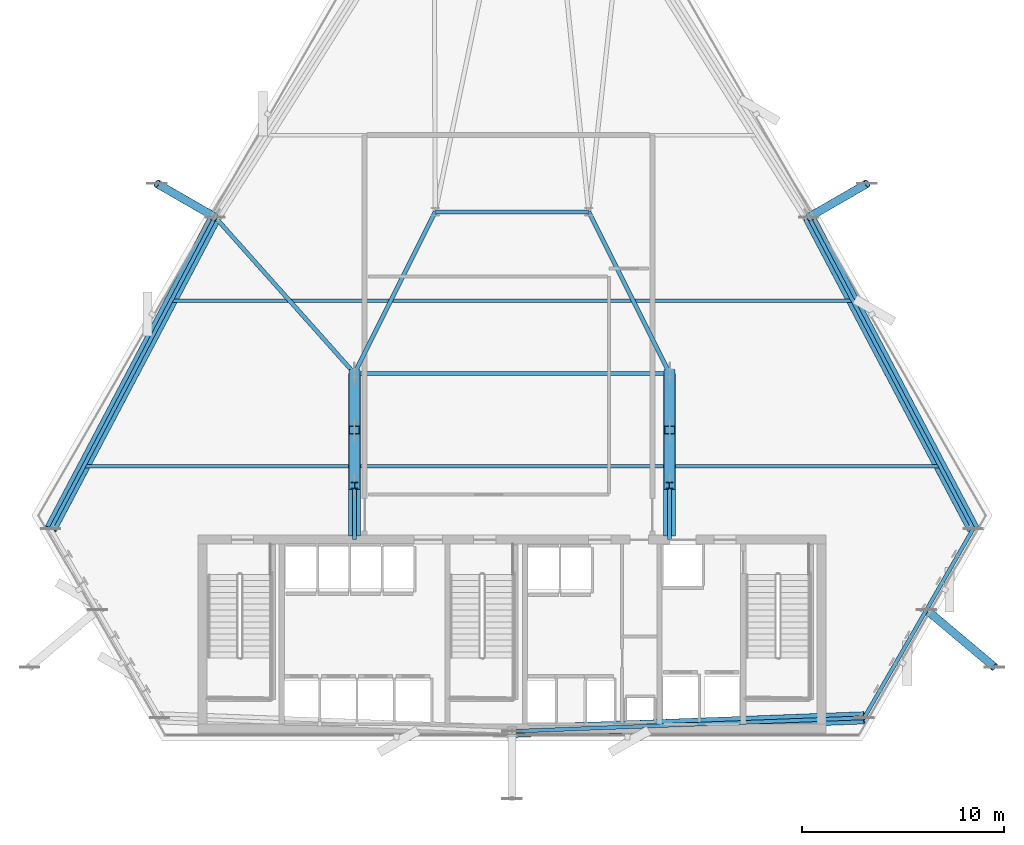
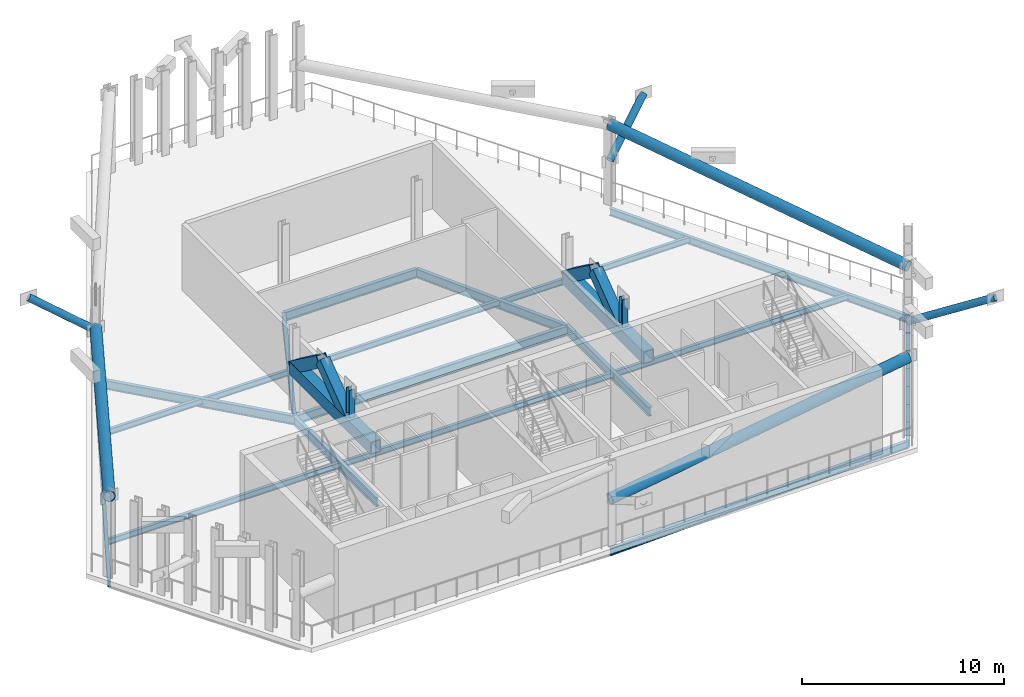
# One storey, part 2 of 11: 19 beams, 14 members.
"""IFC4 building model written with IfcOpenShell, lengths in metres."""

from ifc_helpers import new_model, si_unit, direction, frame, origin, origin_2d, place, context, subcontext, project, spatial, hollow_rectangle, hollow_circle, i_section, extrude, material, material_profile, profile_set, type_object, element, save


model = new_model("IFC4")

# Units and contexts
model_context = context("Model", 3, precision=1e-05, world=origin(), true_north=direction((0.0, 1.0)))
body_context = subcontext(model_context, "Body", "Model", "MODEL_VIEW")
ifc_project = project(units=[si_unit("LENGTHUNIT", "METRE"), si_unit("AREAUNIT", "SQUARE_METRE"), si_unit("VOLUMEUNIT", "CUBIC_METRE"), si_unit("PLANEANGLEUNIT", "RADIAN"), si_unit("MASSUNIT", "GRAM", prefix="KILO")], contexts=[model_context])

# Site, building, storey
site_placement = place(None, origin())
site = spatial("IfcSite", under=ifc_project, at=site_placement, CompositionType="ELEMENT")
building_placement = place(site_placement, origin())
building = spatial("IfcBuilding", under=site, at=building_placement, Name="Ndaravel Arena Tower", CompositionType="ELEMENT")
storey_placement = place(building_placement, frame((0.0, 0.0, 112.0)))
storey = spatial("IfcBuildingStorey", under=building, at=storey_placement, Name="L26", CompositionType="ELEMENT", Elevation=112.0)

# Beams
ifc_material_1 = material(Name="Steel S355", Category="steel")
ifc_material_profile_1 = material_profile(ifc_material_1, i_section(OverallWidth=0.210693359375, OverallDepth=0.53955078125, WebThickness=0.01171875, FlangeThickness=0.018798828125, FilletRadius=0.0126953125, at=origin_2d()), Name="UB 533x210x109")
ifc_profile_set_1 = profile_set([ifc_material_profile_1], Name="Steel S355")
beam_type_1 = type_object("IfcBeamType", Name="BM-GIRD-UB533", PredefinedType="BEAM", material=ifc_profile_set_1)
beam_1_placement = place(storey_placement, frame((27.3017578125, 30.938232421875, -0.5498046875), z_axis=(0.665425873653, -0.746463935279, 0.0), x_axis=(0.746463935279, 0.665425873653, 0.0)))
element("IfcBeam", 1, at=beam_1_placement, inside=storey, type_object=beam_type_1, Name="L26 Radial Floor Girder FG-19", PredefinedType="BEAM", context=body_context, shape_type="SweptSolid", body=[
    extrude(i_section(OverallWidth=0.210693359375, OverallDepth=0.53955078125, WebThickness=0.01171875, FlangeThickness=0.018798828125, FilletRadius=0.0126953125, at=origin_2d()), origin(), (0.0, 0.0, 1.0), 10.36669921875),
])
for number, where, z_axis, x_axis, name in (
    (2, (34.199951171875, 14.97998046875, -0.5498046875), (0.0, 1.0, 0.0), (-1.0, 0.0, 0.0), "L26 Spine Link Girder SLG-01"),
    (3, (49.800048828125, 14.97998046875, -0.5498046875), (0.0, 1.0, 0.0), (-1.0, 0.0, 0.0), "L26 Spine Link Girder SLG-02"),
):
    element("IfcBeam", number, at=place(storey_placement, frame(where, z_axis=z_axis, x_axis=x_axis)), inside=storey, type_object=beam_type_1, Name=name, PredefinedType="BEAM", context=body_context, shape_type="SweptSolid", body=[
        extrude(i_section(OverallWidth=0.210693359375, OverallDepth=0.53955078125, WebThickness=0.01171875, FlangeThickness=0.018798828125, FilletRadius=0.0126953125, at=origin_2d()), origin(), (0.0, 0.0, 1.0), 8.219970703125),
    ])
beam_2_placement = place(storey_placement, frame((34.199951171875, 23.199951171875, -0.5498046875), z_axis=(1.0, 0.0, 0.0), x_axis=(0.0, 1.0, 0.0)))
element("IfcBeam", 4, at=beam_2_placement, inside=storey, type_object=beam_type_1, Name="L26 Spine Link Girder SLG-03", PredefinedType="BEAM", context=body_context, shape_type="SweptSolid", body=[
    extrude(i_section(OverallWidth=0.210693359375, OverallDepth=0.53955078125, WebThickness=0.01171875, FlangeThickness=0.018798828125, FilletRadius=0.0126953125, at=origin_2d()), origin(), (0.0, 0.0, 1.0), 15.60009765625),
])
for number, where, z_axis, x_axis, name in (
    (5, (34.199951171875, 23.199951171875, -0.5498046875), (0.4472135955, 0.894427191, 0.0), (-0.894427191, 0.4472135955, 0.0), "L26 Spine Link Girder SLG-04"),
    (6, (49.800048828125, 23.199951171875, -0.5498046875), (-0.4472135955, 0.894427191, 0.0), (-0.894427191, -0.4472135955, 0.0), "L26 Spine Link Girder SLG-05"),
):
    element("IfcBeam", number, at=place(storey_placement, frame(where, z_axis=z_axis, x_axis=x_axis)), inside=storey, type_object=beam_type_1, Name=name, PredefinedType="BEAM", context=body_context, shape_type="SweptSolid", body=[
        extrude(i_section(OverallWidth=0.210693359375, OverallDepth=0.53955078125, WebThickness=0.01171875, FlangeThickness=0.018798828125, FilletRadius=0.0126953125, at=origin_2d()), origin(), (0.0, 0.0, 1.0), 8.9443359375),
    ])
beam_3_placement = place(storey_placement, frame((38.199951171875, 31.199951171875, -0.5498046875), z_axis=(1.0, 0.0, 0.0), x_axis=(0.0, 1.0, 0.0)))
element("IfcBeam", 7, at=beam_3_placement, inside=storey, type_object=beam_type_1, Name="L26 Spine Link Girder SLG-06", PredefinedType="BEAM", context=body_context, shape_type="SweptSolid", body=[
    extrude(i_section(OverallWidth=0.210693359375, OverallDepth=0.53955078125, WebThickness=0.01171875, FlangeThickness=0.018798828125, FilletRadius=0.0126953125, at=origin_2d()), origin(), (0.0, 0.0, 1.0), 7.60009765625),
])
ifc_material_2 = material(Name="Steel S355", Category="steel")
ifc_material_profile_2 = material_profile(ifc_material_2, i_section(OverallWidth=0.172119140625, OverallDepth=0.35791015625, WebThickness=0.008056640625, FlangeThickness=0.012939453125, FilletRadius=0.01025390625, at=origin_2d()), Name="UB 356x171x57")
ifc_profile_set_2 = profile_set([ifc_material_profile_2], Name="Steel S355")
beam_type_2 = type_object("IfcBeamType", Name="BM-JOIST-UB356", PredefinedType="JOIST", material=ifc_profile_set_2)
beam_4_placement = place(storey_placement, frame((20.794921875, 18.60009765625, -0.458984375), z_axis=(1.0, 0.0, 0.0), x_axis=(0.0, 1.0, 0.0)))
element("IfcBeam", 8, at=beam_4_placement, inside=storey, type_object=beam_type_2, Name="L26 Composite Floor Joist FJ-01", PredefinedType="JOIST", context=body_context, shape_type="SweptSolid", body=[
    extrude(i_section(OverallWidth=0.172119140625, OverallDepth=0.35791015625, WebThickness=0.008056640625, FlangeThickness=0.012939453125, FilletRadius=0.01025390625, at=origin_2d()), origin(), (0.0, 0.0, 1.0), 42.41015625),
])
beam_5_placement = place(storey_placement, frame((25.119384765625, 26.800048828125, -0.458984375), z_axis=(1.0, 0.0, 0.0), x_axis=(0.0, 1.0, 0.0)))
element("IfcBeam", 9, at=beam_5_placement, inside=storey, type_object=beam_type_2, Name="L26 Composite Floor Joist FJ-02", PredefinedType="JOIST", context=body_context, shape_type="SweptSolid", body=[
    extrude(i_section(OverallWidth=0.172119140625, OverallDepth=0.35791015625, WebThickness=0.008056640625, FlangeThickness=0.012939453125, FilletRadius=0.01025390625, at=origin_2d()), origin(), (0.0, 0.0, 1.0), 33.76123046875),
])
ifc_material_3 = material(Name="Steel S355", Category="steel")
ifc_material_profile_3 = material_profile(ifc_material_3, i_section(OverallWidth=0.18994140625, OverallDepth=0.449951171875, WebThickness=0.009521484375, FlangeThickness=0.0146484375, FilletRadius=0.02099609375, at=origin_2d()), Name="IPE 450")
ifc_profile_set_3 = profile_set([ifc_material_profile_3], Name="Steel S355")
beam_type_3 = type_object("IfcBeamType", Name="BM-SPAN-IPE450", PredefinedType="SPANDREL", material=ifc_profile_set_3)
beam_6_placement = place(storey_placement, frame((42.0, 5.47998046875, -0.5048828125), z_axis=(0.999266435486, 0.038296095242, 0.0), x_axis=(-0.038296095242, 0.999266435486, 0.0)))
element("IfcBeam", 10, at=beam_6_placement, inside=storey, type_object=beam_type_3, Name="L26 Perimeter Spandrel Beam SP-01", PredefinedType="SPANDREL", context=body_context, shape_type="SweptSolid", body=[
    extrude(i_section(OverallWidth=0.18994140625, OverallDepth=0.449951171875, WebThickness=0.009521484375, FlangeThickness=0.0146484375, FilletRadius=0.02099609375, at=origin_2d()), origin(), (0.0, 0.0, 1.0), 17.448486328125),
])
beam_7_placement = place(storey_placement, frame((59.435791015625, 6.148193359375, -0.5048828125), z_axis=(0.5000008632, 0.866024905415, 0.0), x_axis=(-0.866024905415, 0.5000008632, 0.0)))
element("IfcBeam", 11, at=beam_7_placement, inside=storey, type_object=beam_type_3, Name="L26 Perimeter Spandrel Beam SP-02", PredefinedType="SPANDREL", context=body_context, shape_type="SweptSolid", body=[
    extrude(i_section(OverallWidth=0.18994140625, OverallDepth=0.449951171875, WebThickness=0.009521484375, FlangeThickness=0.0146484375, FilletRadius=0.02099609375, at=origin_2d()), origin(), (0.0, 0.0, 1.0), 1.54345703125),
])
for number, where, z_axis, x_axis, name in (
    (12, (60.20751953125, 7.48486328125, -0.5048828125), (0.500069364209, 0.865985352636, 0.0), (-0.865985352636, 0.500069364209, 0.0), "L26 Perimeter Spandrel Beam SP-03"),
    (13, (60.979248046875, 8.8212890625, -0.5048828125), (0.499882215713, 0.866093395895, 0.0), (-0.866093395895, 0.499882215713, 0.0), "L26 Perimeter Spandrel Beam SP-04"),
):
    element("IfcBeam", number, at=place(storey_placement, frame(where, z_axis=z_axis, x_axis=x_axis)), inside=storey, type_object=beam_type_3, Name=name, PredefinedType="SPANDREL", context=body_context, shape_type="SweptSolid", body=[
        extrude(i_section(OverallWidth=0.18994140625, OverallDepth=0.449951171875, WebThickness=0.009521484375, FlangeThickness=0.0146484375, FilletRadius=0.02099609375, at=origin_2d()), origin(), (0.0, 0.0, 1.0), 1.543212890625),
    ])
for number, where, z_axis, x_axis, name in (
    (14, (61.750732421875, 10.157958984375, -0.5048828125), (0.5000008632, 0.866024905415, 0.0), (-0.866024905415, 0.5000008632, 0.0), "L26 Perimeter Spandrel Beam SP-05"),
    (15, (62.5224609375, 11.49462890625, -0.5048828125), (0.5000008632, 0.866024905415, 0.0), (-0.866024905415, 0.5000008632, 0.0), "L26 Perimeter Spandrel Beam SP-06"),
):
    element("IfcBeam", number, at=place(storey_placement, frame(where, z_axis=z_axis, x_axis=x_axis)), inside=storey, type_object=beam_type_3, Name=name, PredefinedType="SPANDREL", context=body_context, shape_type="SweptSolid", body=[
        extrude(i_section(OverallWidth=0.18994140625, OverallDepth=0.449951171875, WebThickness=0.009521484375, FlangeThickness=0.0146484375, FilletRadius=0.02099609375, at=origin_2d()), origin(), (0.0, 0.0, 1.0), 1.54345703125),
    ])
for number, where, z_axis, x_axis, name in (
    (16, (63.294189453125, 12.831298828125, -0.5048828125), (0.500069364209, 0.865985352636, 0.0), (-0.865985352636, 0.500069364209, 0.0), "L26 Perimeter Spandrel Beam SP-07"),
    (17, (64.06591796875, 14.167724609375, -0.5048828125), (0.499882215713, 0.866093395895, 0.0), (-0.866093395895, 0.499882215713, 0.0), "L26 Perimeter Spandrel Beam SP-08"),
):
    element("IfcBeam", number, at=place(storey_placement, frame(where, z_axis=z_axis, x_axis=x_axis)), inside=storey, type_object=beam_type_3, Name=name, PredefinedType="SPANDREL", context=body_context, shape_type="SweptSolid", body=[
        extrude(i_section(OverallWidth=0.18994140625, OverallDepth=0.449951171875, WebThickness=0.009521484375, FlangeThickness=0.0146484375, FilletRadius=0.02099609375, at=origin_2d()), origin(), (0.0, 0.0, 1.0), 1.543212890625),
    ])
for number, where, z_axis, x_axis, name in (
    (18, (64.83740234375, 15.50439453125, -0.5048828125), (-0.466468281773, 0.884537925756, 0.0), (-0.884537925756, -0.466468281773, 0.0), "L26 Perimeter Spandrel Beam SP-09"),
    (19, (27.3017578125, 30.938232421875, -0.5048828125), (-0.466468281773, -0.884537925756, 0.0), (0.884537925756, -0.466468281773, 0.0), "L26 Perimeter Spandrel Beam SP-19"),
):
    element("IfcBeam", number, at=place(storey_placement, frame(where, z_axis=z_axis, x_axis=x_axis)), inside=storey, type_object=beam_type_3, Name=name, PredefinedType="SPANDREL", context=body_context, shape_type="SweptSolid", body=[
        extrude(i_section(OverallWidth=0.18994140625, OverallDepth=0.449951171875, WebThickness=0.009521484375, FlangeThickness=0.0146484375, FilletRadius=0.02099609375, at=origin_2d()), origin(), (0.0, 0.0, 1.0), 17.448486328125),
    ])

# Members
ifc_material_4 = material(Name="Steel S460", Category="steel")
ifc_material_profile_4 = material_profile(ifc_material_4, hollow_circle(Radius=0.304931640625, WallThickness=0.030029296875, at=origin_2d()), Name="CHS 610x30")
ifc_profile_set_4 = profile_set([ifc_material_profile_4], Name="Steel S460")
member_type_1 = type_object("IfcMemberType", Name="MEM-BT-DIAG1", PredefinedType="BRACE", material=ifc_profile_set_4)
member_1_placement = place(storey_placement, frame((42.0, 5.47998046875, 2.679931640625), z_axis=(0.992373912886, 0.038031944769, 0.117250109595), x_axis=(-0.038296095242, 0.999266435486, 0.0)))
element("IfcMember", 20, at=member_1_placement, inside=storey, type_object=member_type_1, Name="Belt Truss BT-1 Diagonal 01", PredefinedType="BRACE", context=body_context, shape_type="SweptSolid", body=[
    extrude(hollow_circle(Radius=0.304931640625, WallThickness=0.030029296875, at=origin_2d()), origin(), (0.0, 0.0, 1.0), 17.56982421875),
])
for number, where, z_axis, x_axis, name in (
    (21, (64.83740234375, 15.50439453125, 2.679931640625), (-0.463250736131, 0.878436672447, 0.117250876222), (-0.884537925756, -0.466468281773, 0.0), "Belt Truss BT-1 Diagonal 09"),
    (22, (27.3017578125, 30.938232421875, 2.679931640625), (-0.463250736131, -0.878436672447, 0.117250876222), (0.884537925756, -0.466468281773, 0.0), "Belt Truss BT-1 Diagonal 19"),
):
    element("IfcMember", number, at=place(storey_placement, frame(where, z_axis=z_axis, x_axis=x_axis)), inside=storey, type_object=member_type_1, Name=name, PredefinedType="BRACE", context=body_context, shape_type="SweptSolid", body=[
        extrude(hollow_circle(Radius=0.304931640625, WallThickness=0.030029296875, at=origin_2d()), origin(), (0.0, 0.0, 1.0), 17.569580078125),
    ])
ifc_material_5 = material(Name="Steel S460", Category="steel")
ifc_material_profile_5 = material_profile(ifc_material_5, hollow_rectangle(XDim=0.60009765625, YDim=0.75, WallThickness=0.044921875, at=origin_2d()), Name="BOX 750x600x45")
ifc_profile_set_5 = profile_set([ifc_material_profile_5], Name="Steel S460")
member_type_2 = type_object("IfcMemberType", Name="MEM-OT-CHORD", PredefinedType="CHORD", material=ifc_profile_set_5)
for number, where, z_axis, x_axis, name in (
    (23, (34.199951171875, 15.159912109375, 2.679931640625), (0.0, 1.0, 0.0), (-1.0, 0.0, 0.0), "Outrigger Truss OT-1.1 Bottom Chord"),
    (24, (49.800048828125, 15.159912109375, 2.679931640625), (0.0, 1.0, 0.0), (-1.0, 0.0, 0.0), "Outrigger Truss OT-1.2 Bottom Chord"),
):
    element("IfcMember", number, at=place(storey_placement, frame(where, z_axis=z_axis, x_axis=x_axis)), inside=storey, type_object=member_type_2, Name=name, PredefinedType="CHORD", context=body_context, shape_type="SweptSolid", body=[
        extrude(hollow_rectangle(XDim=0.60009765625, YDim=0.75, WallThickness=0.044921875, at=origin_2d()), origin(), (0.0, 0.0, 1.0), 8.0400390625),
    ])
ifc_material_6 = material(Name="Steel S460", Category="steel")
ifc_material_profile_6 = material_profile(ifc_material_6, hollow_rectangle(XDim=0.550048828125, YDim=0.64990234375, WallThickness=0.0400390625, at=origin_2d()), Name="BOX 650x550x40")
ifc_profile_set_6 = profile_set([ifc_material_profile_6], Name="Steel S460")
member_type_3 = type_object("IfcMemberType", Name="MEM-OT-DIAG", PredefinedType="BRACE", material=ifc_profile_set_6)
member_2_placement = place(storey_placement, frame((34.199951171875, 17.64990234375, 2.679931640625), z_axis=(0.0, 0.800340925129, 0.599545163906), x_axis=(-1.0, 0.0, 0.0)))
element("IfcMember", 25, at=member_2_placement, inside=storey, type_object=member_type_3, Name="Outrigger Truss OT-1.1 Diagonal 1", PredefinedType="BRACE", context=body_context, shape_type="SweptSolid", body=[
    extrude(hollow_rectangle(XDim=0.550048828125, YDim=0.64990234375, WallThickness=0.0400390625, at=origin_2d()), origin(), (0.0, 0.0, 1.0), 3.43603515625),
])
member_3_placement = place(storey_placement, frame((34.199951171875, 20.39990234375, 4.739990234375), z_axis=(0.0, 0.80548634539, -0.592614332758), x_axis=(-1.0, 0.0, 0.0)))
element("IfcMember", 26, at=member_3_placement, inside=storey, type_object=member_type_3, Name="Outrigger Truss OT-1.1 Diagonal 2", PredefinedType="BRACE", context=body_context, shape_type="SweptSolid", body=[
    extrude(hollow_rectangle(XDim=0.550048828125, YDim=0.64990234375, WallThickness=0.0400390625, at=origin_2d()), origin(), (0.0, 0.0, 1.0), 3.476318359375),
])
member_4_placement = place(storey_placement, frame((49.800048828125, 17.64990234375, 2.679931640625), z_axis=(0.0, 0.800340925129, 0.599545163906), x_axis=(-1.0, 0.0, 0.0)))
element("IfcMember", 27, at=member_4_placement, inside=storey, type_object=member_type_3, Name="Outrigger Truss OT-1.2 Diagonal 1", PredefinedType="BRACE", context=body_context, shape_type="SweptSolid", body=[
    extrude(hollow_rectangle(XDim=0.550048828125, YDim=0.64990234375, WallThickness=0.0400390625, at=origin_2d()), origin(), (0.0, 0.0, 1.0), 3.43603515625),
])
member_5_placement = place(storey_placement, frame((49.800048828125, 20.39990234375, 4.739990234375), z_axis=(0.0, 0.80548634539, -0.592614332758), x_axis=(-1.0, 0.0, 0.0)))
element("IfcMember", 28, at=member_5_placement, inside=storey, type_object=member_type_3, Name="Outrigger Truss OT-1.2 Diagonal 2", PredefinedType="BRACE", context=body_context, shape_type="SweptSolid", body=[
    extrude(hollow_rectangle(XDim=0.550048828125, YDim=0.64990234375, WallThickness=0.0400390625, at=origin_2d()), origin(), (0.0, 0.0, 1.0), 3.476318359375),
])
ifc_material_7 = material(Name="Steel S460", Category="steel")
ifc_material_profile_7 = material_profile(ifc_material_7, i_section(OverallWidth=0.314453125, OverallDepth=0.33984375, WebThickness=0.01904296875, FlangeThickness=0.031494140625, FilletRadius=0.01513671875, at=origin_2d()), Name="UC 305x305x198")
ifc_profile_set_7 = profile_set([ifc_material_profile_7], Name="Steel S460")
member_type_4 = type_object("IfcMemberType", Name="MEM-OT-POST", PredefinedType="POST", material=ifc_profile_set_7)
for number, where, z_axis, x_axis, name in (
    (29, (34.199951171875, 17.64990234375, 2.679931640625), (0.0, 0.0, 1.0), (1.0, 0.0, 0.0), "Outrigger Truss OT-1.1 King Post"),
    (30, (49.800048828125, 17.64990234375, 2.679931640625), (0.0, 0.0, 1.0), (1.0, 0.0, 0.0), "Outrigger Truss OT-1.2 King Post"),
):
    element("IfcMember", number, at=place(storey_placement, frame(where, z_axis=z_axis, x_axis=x_axis)), inside=storey, type_object=member_type_4, Name=name, PredefinedType="POST", context=body_context, shape_type="SweptSolid", body=[
        extrude(i_section(OverallWidth=0.314453125, OverallDepth=0.33984375, WebThickness=0.01904296875, FlangeThickness=0.031494140625, FilletRadius=0.01513671875, at=origin_2d()), origin(), (0.0, 0.0, 1.0), 2.06005859375),
    ])
ifc_material_8 = material(Name="Steel S460", Category="steel")
ifc_material_profile_8 = material_profile(ifc_material_8, hollow_circle(Radius=0.203125, WallThickness=0.01611328125, at=origin_2d()), Name="CHS 406.4x16")
ifc_profile_set_8 = profile_set([ifc_material_profile_8], Name="Steel S460")
member_type_5 = type_object("IfcMemberType", Name="MEM-STAR-STRUT2", PredefinedType="STRUT", material=ifc_profile_set_8)
member_6_placement = place(storey_placement, frame((62.5224609375, 11.49462890625, 2.580078125), z_axis=(0.696855665952, -0.586908339021, 0.412226615369), x_axis=(0.644188734749, 0.764866572693, 0.0)))
element("IfcMember", 31, at=member_6_placement, inside=storey, type_object=member_type_5, Name="L27 Star Soffit Raking Strut SS-3", PredefinedType="STRUT", context=body_context, shape_type="SweptSolid", body=[
    extrude(hollow_circle(Radius=0.203125, WallThickness=0.01611328125, at=origin_2d()), origin(), (0.0, 0.0, 1.0), 4.827392578125),
])
for number, where, z_axis, x_axis, name in (
    (32, (56.6982421875, 30.938232421875, 2.580078125), (0.743414600893, 0.429195596215, 0.512957962574), (-0.499986873641, 0.866032982159, 0.0), "L27 Star Soffit Raking Strut SS-4"),
    (33, (27.3017578125, 30.938232421875, 2.580078125), (-0.743414600893, 0.429195596215, 0.512957962574), (-0.499986873641, -0.866032982159, 0.0), "L27 Star Soffit Raking Strut SS-6"),
):
    element("IfcMember", number, at=place(storey_placement, frame(where, z_axis=z_axis, x_axis=x_axis)), inside=storey, type_object=member_type_5, Name=name, PredefinedType="STRUT", context=body_context, shape_type="SweptSolid", body=[
        extrude(hollow_circle(Radius=0.203125, WallThickness=0.01611328125, at=origin_2d()), origin(), (0.0, 0.0, 1.0), 3.87939453125),
    ])

save(model, "model.ifc")
